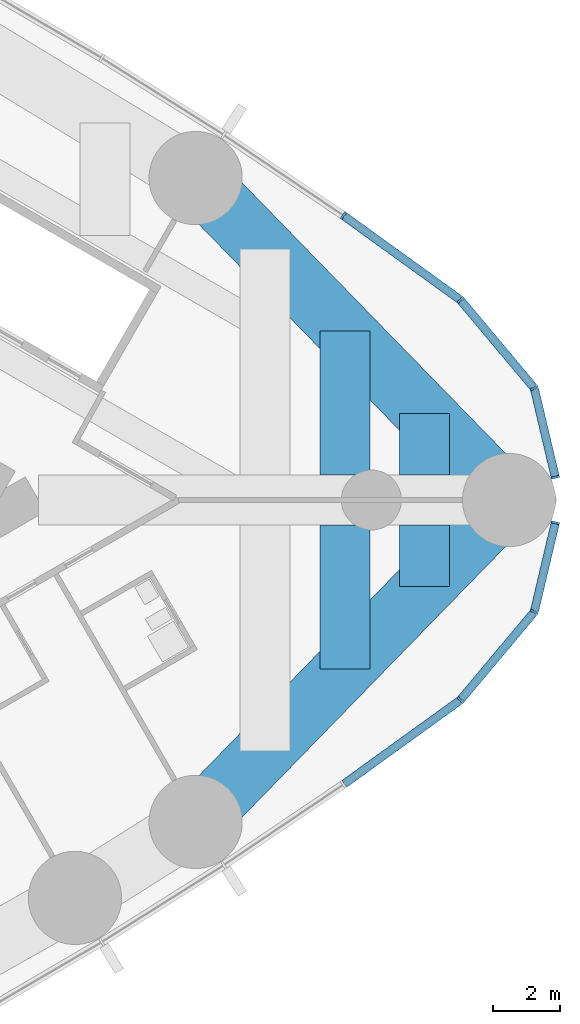
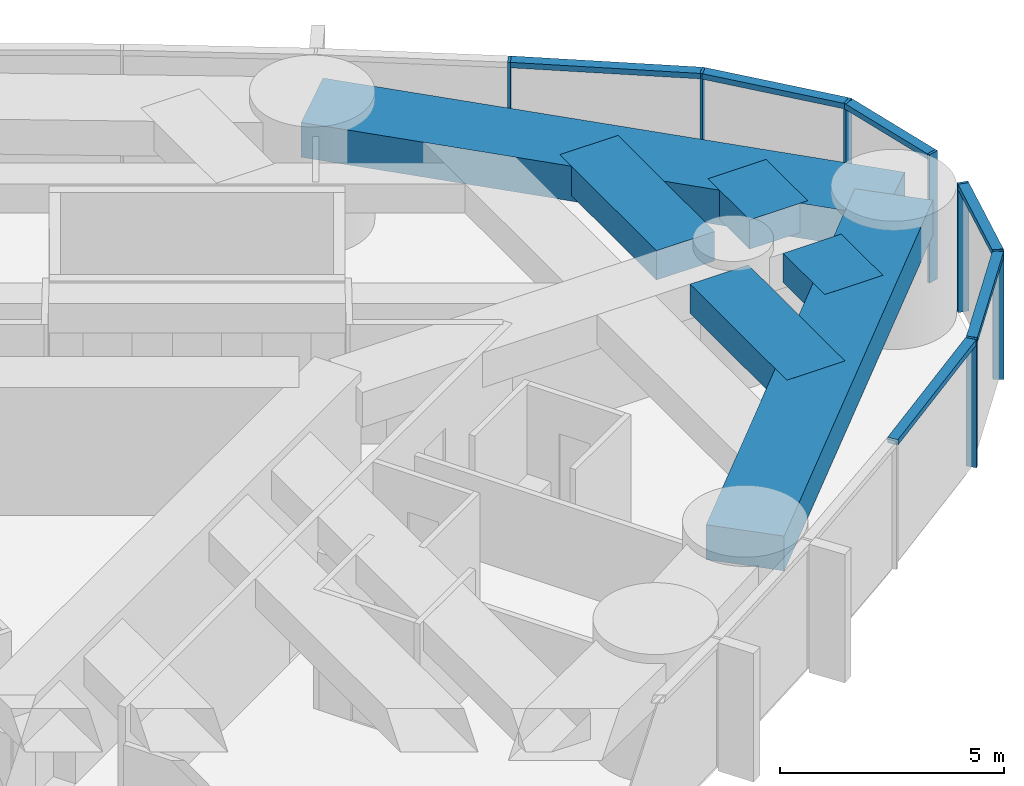
# One storey, part 9 of 19: 13 members, 6 beams, 2 elements without a shape of their own.
"""IFC4 building model written with IfcOpenShell, lengths in metres."""

from ifc_helpers import new_model, si_unit, direction, frame, origin, origin_2d, place, context, subcontext, project, spatial, rectangle, extrude, material, material_profile, profile_set, type_object, element, aggregate, save


model = new_model("IFC4")

# Units and contexts
model_context = context("Model", 3, precision=1e-05, world=origin(), true_north=direction((0.0, 1.0)))
body_context = subcontext(model_context, "Body", "Model", "MODEL_VIEW")
ifc_project = project(units=[si_unit("LENGTHUNIT", "METRE"), si_unit("AREAUNIT", "SQUARE_METRE"), si_unit("VOLUMEUNIT", "CUBIC_METRE"), si_unit("PLANEANGLEUNIT", "RADIAN"), si_unit("MASSUNIT", "GRAM", prefix="KILO")], contexts=[model_context])

# Site, building, storey
site_placement = place(None, origin())
site = spatial("IfcSite", under=ifc_project, at=site_placement, CompositionType="ELEMENT")
building_placement = place(site_placement, origin())
building = spatial("IfcBuilding", under=site, at=building_placement, Name="Lancet Gate Hotel", CompositionType="ELEMENT")
storey_placement = place(building_placement, frame((0.0, 0.0, 163.300048828125)))
storey = spatial("IfcBuildingStorey", under=building, at=storey_placement, Name="L43", CompositionType="ELEMENT", Elevation=163.300048828125)

# Curtain wall, members
ifc_material_1 = material(Name="Aluminium curtain wall", Category="aluminium")
curtain_wall_type = type_object("IfcCurtainWallType", Name="Tower unitised curtain wall", PredefinedType="USERDEFINED", material=ifc_material_1)
curtain_wall_1_placement = place(storey_placement, origin())
curtain_wall_1 = element("IfcCurtainWall", 1, at=curtain_wall_1_placement, inside=storey, type_object=curtain_wall_type, Name="T2 L43 curtain wall 2", ObjectType="UNITISED CURTAIN WALL", PredefinedType="USERDEFINED")
ifc_material_2 = material(Name="Aluminium mullion", Category="aluminium")
ifc_material_profile_1 = material_profile(ifc_material_2, rectangle(XDim=0.06494140625, YDim=0.25, at=origin_2d()), Name="MULLION 65x250")
ifc_profile_set_1 = profile_set([ifc_material_profile_1], Name="Aluminium mullion")
member_type_1 = type_object("IfcMemberType", Name="Aluminium mullion 65x250", PredefinedType="MULLION", material=ifc_profile_set_1)
member_1_placement = place(storey_placement, frame((64.174560546875, -6.01123046875, 0.0), z_axis=(0.0, 0.0, 1.0), x_axis=(0.741693452951, 0.670739011725, 0.0)))
member_1 = element("IfcMember", 2, at=member_1_placement, type_object=member_type_1, Name="T2 L43 curtain wall 2 mullion 10", PredefinedType="MULLION", context=body_context, shape_type="SweptSolid", body=[
    extrude(rectangle(XDim=0.06494140625, YDim=0.25, at=origin_2d()), origin(), (0.0, 0.0, 1.0), 3.5),
])
member_2_placement = place(storey_placement, frame((66.3935546875, -3.362548828125, 0.0), z_axis=(0.0, 0.0, 1.0), x_axis=(0.472146326362, 0.881520190638, 0.0)))
member_2 = element("IfcMember", 3, at=member_2_placement, type_object=member_type_1, Name="T2 L43 curtain wall 2 mullion 11", PredefinedType="MULLION", context=body_context, shape_type="SweptSolid", body=[
    extrude(rectangle(XDim=0.06494140625, YDim=0.25, at=origin_2d()), origin(), (0.0, 0.0, 1.0), 3.5),
])
member_3_placement = place(storey_placement, frame((67.027587890625, -0.684326171875, 0.0), z_axis=(0.0, 0.0, 1.0), x_axis=(0.230366568544, 0.973103922558, 0.0)))
member_3 = element("IfcMember", 4, at=member_3_placement, type_object=member_type_1, Name="T2 L43 curtain wall 2 mullion 12", PredefinedType="MULLION", context=body_context, shape_type="SweptSolid", body=[
    extrude(rectangle(XDim=0.06494140625, YDim=0.25, at=origin_2d()), origin(), (0.0, 0.0, 1.0), 3.5),
])

curtain_wall_2_placement = place(storey_placement, origin())
curtain_wall_2 = element("IfcCurtainWall", 5, at=curtain_wall_2_placement, inside=storey, type_object=curtain_wall_type, Name="T2 L43 curtain wall 3", ObjectType="UNITISED CURTAIN WALL", PredefinedType="USERDEFINED")
member_4_placement = place(storey_placement, frame((67.027587890625, 0.684326171875, 0.0), z_axis=(0.0, 0.0, 1.0), x_axis=(-0.230366568544, 0.973103922558, 0.0)))
member_4 = element("IfcMember", 6, at=member_4_placement, type_object=member_type_1, Name="T2 L43 curtain wall 3 mullion 1", PredefinedType="MULLION", context=body_context, shape_type="SweptSolid", body=[
    extrude(rectangle(XDim=0.06494140625, YDim=0.25, at=origin_2d()), origin(), (0.0, 0.0, 1.0), 3.5),
])
member_5_placement = place(storey_placement, frame((66.3935546875, 3.362548828125, 0.0), z_axis=(0.0, 0.0, 1.0), x_axis=(-0.472146326362, 0.881520190638, 0.0)))
member_5 = element("IfcMember", 7, at=member_5_placement, type_object=member_type_1, Name="T2 L43 curtain wall 3 mullion 2", PredefinedType="MULLION", context=body_context, shape_type="SweptSolid", body=[
    extrude(rectangle(XDim=0.06494140625, YDim=0.25, at=origin_2d()), origin(), (0.0, 0.0, 1.0), 3.5),
])
member_6_placement = place(storey_placement, frame((64.174560546875, 6.01123046875, 0.0), z_axis=(0.0, 0.0, 1.0), x_axis=(-0.741693452951, 0.670739011725, 0.0)))
member_6 = element("IfcMember", 8, at=member_6_placement, type_object=member_type_1, Name="T2 L43 curtain wall 3 mullion 3", PredefinedType="MULLION", context=body_context, shape_type="SweptSolid", body=[
    extrude(rectangle(XDim=0.06494140625, YDim=0.25, at=origin_2d()), origin(), (0.0, 0.0, 1.0), 3.5),
])
member_7_placement = place(storey_placement, frame((60.66015625, 8.547607421875, 0.0), z_axis=(0.0, 0.0, 1.0), x_axis=(-0.820068208435, 0.572265789222, 0.0)))
member_7 = element("IfcMember", 9, at=member_7_placement, type_object=member_type_1, Name="T2 L43 curtain wall 3 mullion 4", PredefinedType="MULLION", context=body_context, shape_type="SweptSolid", body=[
    extrude(rectangle(XDim=0.06494140625, YDim=0.25, at=origin_2d()), origin(), (0.0, 0.0, 1.0), 3.5),
])

# Member
ifc_material_3 = material(Name="Aluminium transom", Category="aluminium")
ifc_material_profile_2 = material_profile(ifc_material_3, rectangle(XDim=0.25, YDim=0.14990234375, at=origin_2d()), Name="TRANSOM 250x150")
ifc_profile_set_2 = profile_set([ifc_material_profile_2], Name="Aluminium transom")
member_type_2 = type_object("IfcMemberType", Name="Aluminium transom 250x150", PredefinedType="USERDEFINED", material=ifc_profile_set_2)
member_8_placement = place(storey_placement, frame((60.6865234375, -8.528564453125, 3.425048828125), z_axis=(0.810879747578, 0.585212811691, 0.0), x_axis=(-0.585212811691, 0.810879747578, 0.0)))
member_8 = element("IfcMember", 10, at=member_8_placement, type_object=member_type_2, Name="T2 L43 curtain wall 2 transom 9", ObjectType="TRANSOM", PredefinedType="USERDEFINED", context=body_context, shape_type="SweptSolid", body=[
    extrude(rectangle(XDim=0.25, YDim=0.14990234375, at=origin_2d()), origin(), (0.0, 0.0, 1.0), 4.26904296875),
])

member_9_placement = place(storey_placement, frame((64.1953125, -5.986328125, 3.425048828125), z_axis=(0.642229010215, 0.766512816878, 0.0), x_axis=(-0.766512816878, 0.642229010215, 0.0)))
member_9 = element("IfcMember", 11, at=member_9_placement, type_object=member_type_2, Name="T2 L43 curtain wall 2 transom 10", ObjectType="TRANSOM", PredefinedType="USERDEFINED", context=body_context, shape_type="SweptSolid", body=[
    extrude(rectangle(XDim=0.25, YDim=0.14990234375, at=origin_2d()), origin(), (0.0, 0.0, 1.0), 3.390625),
])

member_10_placement = place(storey_placement, frame((66.401123046875, -3.3310546875, 3.425048828125), z_axis=(0.230310174804, 0.973117271135, 0.0), x_axis=(-0.973117271135, 0.230310174804, 0.0)))
member_10 = element("IfcMember", 12, at=member_10_placement, type_object=member_type_2, Name="T2 L43 curtain wall 2 transom 11", ObjectType="TRANSOM", PredefinedType="USERDEFINED", context=body_context, shape_type="SweptSolid", body=[
    extrude(rectangle(XDim=0.25, YDim=0.14990234375, at=origin_2d()), origin(), (0.0, 0.0, 1.0), 2.687255859375),
])

aggregate(curtain_wall_1, [member_1, member_2, member_3, member_8, member_9, member_10])

member_11_placement = place(storey_placement, frame((67.02001953125, 0.716064453125, 3.425048828125), z_axis=(-0.230310174804, 0.973117271135, 0.0), x_axis=(-0.973117271135, -0.230310174804, 0.0)))
member_11 = element("IfcMember", 13, at=member_11_placement, type_object=member_type_2, Name="T2 L43 curtain wall 3 transom 1", ObjectType="TRANSOM", PredefinedType="USERDEFINED", context=body_context, shape_type="SweptSolid", body=[
    extrude(rectangle(XDim=0.25, YDim=0.14990234375, at=origin_2d()), origin(), (0.0, 0.0, 1.0), 2.687255859375),
])

member_12_placement = place(storey_placement, frame((66.372802734375, 3.387451171875, 3.425048828125), z_axis=(-0.642229010215, 0.766512816878, 0.0), x_axis=(-0.766512816878, -0.642229010215, 0.0)))
member_12 = element("IfcMember", 14, at=member_12_placement, type_object=member_type_2, Name="T2 L43 curtain wall 3 transom 2", ObjectType="TRANSOM", PredefinedType="USERDEFINED", context=body_context, shape_type="SweptSolid", body=[
    extrude(rectangle(XDim=0.25, YDim=0.14990234375, at=origin_2d()), origin(), (0.0, 0.0, 1.0), 3.390625),
])

member_13_placement = place(storey_placement, frame((64.148193359375, 6.0302734375, 3.425048828125), z_axis=(-0.810879747578, 0.585212811691, 0.0), x_axis=(-0.585212811691, -0.810879747578, 0.0)))
member_13 = element("IfcMember", 15, at=member_13_placement, type_object=member_type_2, Name="T2 L43 curtain wall 3 transom 3", ObjectType="TRANSOM", PredefinedType="USERDEFINED", context=body_context, shape_type="SweptSolid", body=[
    extrude(rectangle(XDim=0.25, YDim=0.14990234375, at=origin_2d()), origin(), (0.0, 0.0, 1.0), 4.26904296875),
])

aggregate(curtain_wall_2, [member_4, member_5, member_6, member_7, member_11, member_12, member_13])

# Beams
ifc_material_4 = material(Name="Concrete C50/60", Category="concrete")
ifc_material_profile_3 = material_profile(ifc_material_4, rectangle(XDim=1.800048828125, YDim=0.949951171875, at=origin_2d()), Name="RC 1800x950")
ifc_profile_set_3 = profile_set([ifc_material_profile_3], Name="Concrete C50/60")
beam_type_1 = type_object("IfcBeamType", Name="Edge beam RC 1800x950", PredefinedType="SPANDREL", material=ifc_profile_set_3)
for number, where, z_axis, x_axis, name in (
    (16, (56.220947265625, -9.67236328125, 2.77490234375), (0.697649905443, 0.716438838587, 0.0), (-0.716438838587, 0.697649905443, 0.0), "T2 edge beam EB1 L43"),
    (17, (65.6396484375, 0.0, 2.77490234375), (-0.697649905443, 0.716438838587, 0.0), (-0.716438838587, -0.697649905443, 0.0), "T2 edge beam EB1 L43"),
):
    element("IfcBeam", number, at=place(storey_placement, frame(where, z_axis=z_axis, x_axis=x_axis)), inside=storey, type_object=beam_type_1, Name=name, PredefinedType="SPANDREL", context=body_context, shape_type="SweptSolid", body=[
        extrude(rectangle(XDim=1.800048828125, YDim=0.949951171875, at=origin_2d()), origin(), (0.0, 0.0, 1.0), 13.500732421875),
    ])
ifc_material_5 = material(Name="Concrete C50/60", Category="concrete")
ifc_material_profile_4 = material_profile(ifc_material_5, rectangle(XDim=1.5, YDim=0.800048828125, at=origin_2d()), Name="RC 1500x800")
ifc_profile_set_4 = profile_set([ifc_material_profile_4], Name="Concrete C50/60")
beam_type_2 = type_object("IfcBeamType", Name="Floor beam RC 1500x800", PredefinedType="BEAM", material=ifc_profile_set_4)
for number, where, z_axis, x_axis, name in (
    (18, (60.7021484375, -5.0703125, 2.849853515625), (0.0, 1.0, 0.0), (-1.0, 0.0, 0.0), "T2 floor beam F14S L43"),
    (19, (60.7021484375, 0.75, 2.849853515625), (0.0, 1.0, 0.0), (-1.0, 0.0, 0.0), "T2 floor beam F15N L43"),
):
    element("IfcBeam", number, at=place(storey_placement, frame(where, z_axis=z_axis, x_axis=x_axis)), inside=storey, type_object=beam_type_2, Name=name, PredefinedType="BEAM", context=body_context, shape_type="SweptSolid", body=[
        extrude(rectangle(XDim=1.5, YDim=0.800048828125, at=origin_2d()), origin(), (0.0, 0.0, 1.0), 4.3203125),
    ])
for number, where, z_axis, x_axis, name in (
    (20, (63.102294921875, -2.605712890625, 2.849853515625), (0.0, 1.0, 0.0), (-1.0, 0.0, 0.0), "T2 floor beam F16S L43"),
    (21, (63.102294921875, 0.75, 2.849853515625), (0.0, 1.0, 0.0), (-1.0, 0.0, 0.0), "T2 floor beam F17N L43"),
):
    element("IfcBeam", number, at=place(storey_placement, frame(where, z_axis=z_axis, x_axis=x_axis)), inside=storey, type_object=beam_type_2, Name=name, PredefinedType="BEAM", context=body_context, shape_type="SweptSolid", body=[
        extrude(rectangle(XDim=1.5, YDim=0.800048828125, at=origin_2d()), origin(), (0.0, 0.0, 1.0), 1.855712890625),
    ])

save(model, "model.ifc")
